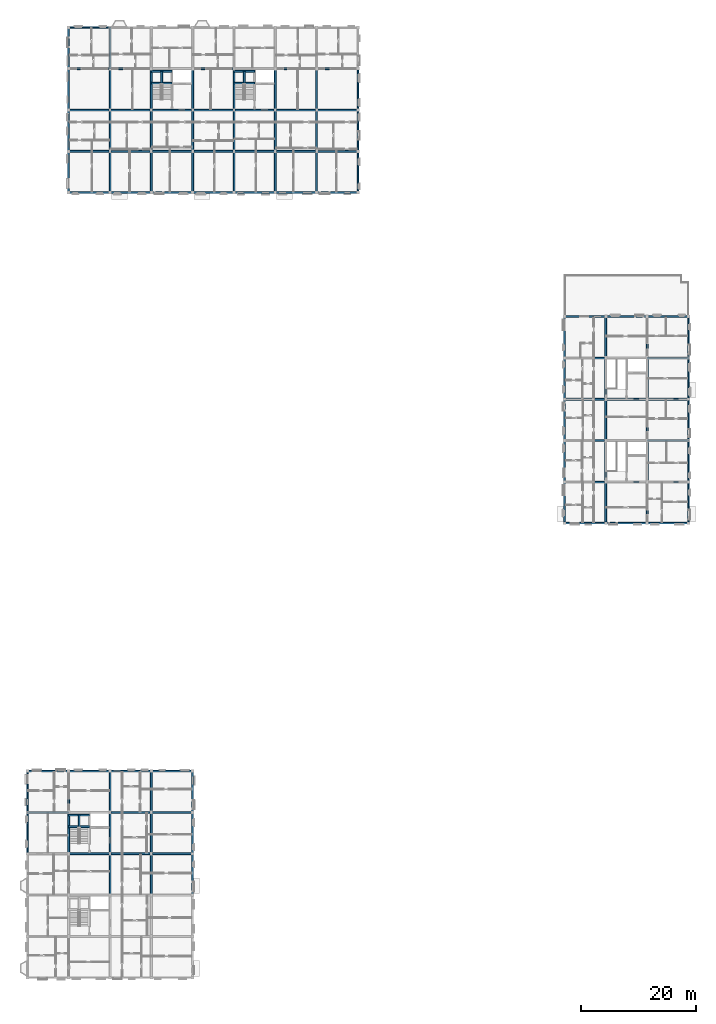
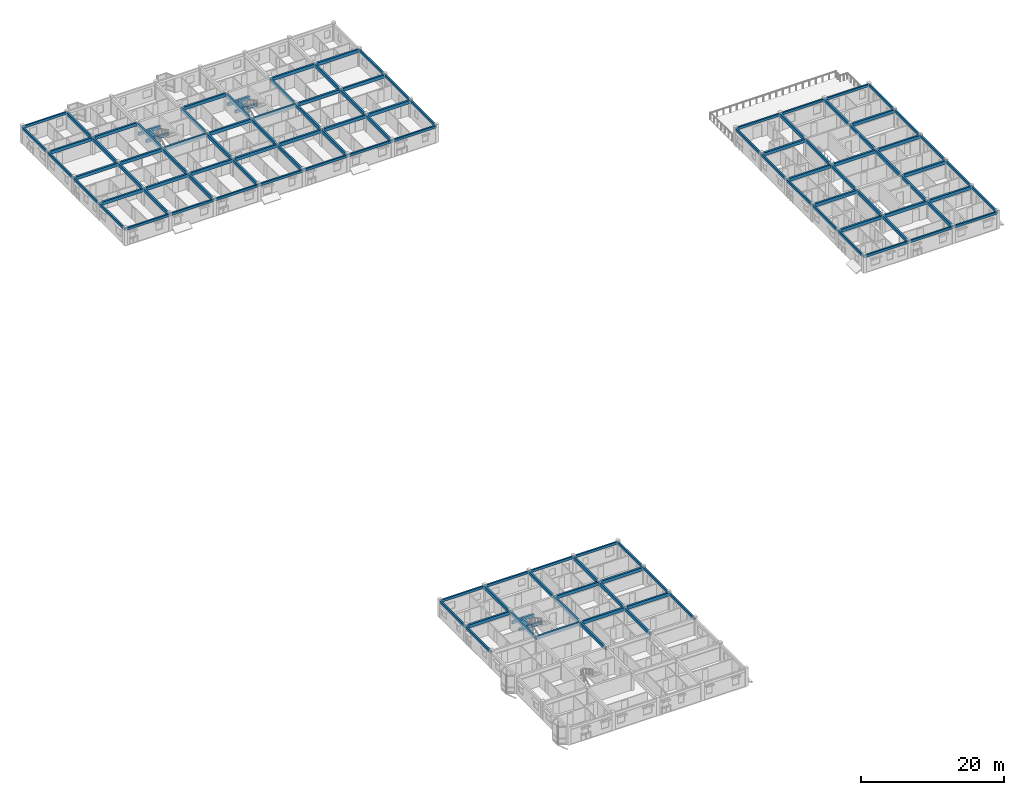
# One storey, part 8 of 38: 121 beams.
"""IFC4 building model written with IfcOpenShell, lengths in metres."""

from ifc_helpers import new_model, si_unit, direction, frame, origin, origin_2d, place, context, subcontext, project, spatial, rectangle, extrude, material, material_profile, profile_set, type_object, element, save


model = new_model("IFC4")

# Units and contexts
model_context = context("Model", 3, precision=1e-05, world=origin(), true_north=direction((0.0, 1.0)))
body_context = subcontext(model_context, "Body", "Model", "MODEL_VIEW")
ifc_project = project(units=[si_unit("LENGTHUNIT", "METRE"), si_unit("AREAUNIT", "SQUARE_METRE"), si_unit("VOLUMEUNIT", "CUBIC_METRE"), si_unit("PLANEANGLEUNIT", "RADIAN"), si_unit("MASSUNIT", "GRAM", prefix="KILO"), si_unit("THERMODYNAMICTEMPERATUREUNIT", "KELVIN"), si_unit("POWERUNIT", "WATT")], contexts=[model_context])

# Site, building, storey
site_placement = place(None, origin())
site = spatial("IfcSite", under=ifc_project, at=site_placement, CompositionType="ELEMENT")
building_placement = place(site_placement, origin())
building = spatial("IfcBuilding", under=site, at=building_placement, Name="Tavuni Mirador Residences", CompositionType="ELEMENT")
storey_placement = place(building_placement, frame((0.0, 0.0, 32.85009765625)))
storey = spatial("IfcBuildingStorey", under=building, at=storey_placement, Name="L10", CompositionType="ELEMENT", Elevation=32.85009765625)

# Beams
ifc_material = material(Name="Precast concrete C40/50", Category="concrete")
ifc_material_profile_1 = material_profile(ifc_material, rectangle(XDim=0.300048828125, YDim=0.5, at=origin_2d()), Name="PC 300x500", Category="concrete")
ifc_profile_set_1 = profile_set([ifc_material_profile_1], Name="Precast concrete C40/50")
beam_type_1 = type_object("IfcBeamType", Name="BT-B500", PredefinedType="BEAM", material=ifc_profile_set_1)
for number, where, z_axis, x_axis, name in (
    (1, (10.800048828125, 33.5, 1.14501953125), (1.0, 0.0, 0.0), (0.0, 1.0, 0.0), "HLB1-C2-L10"),
    (2, (10.800048828125, 35.550048828125, 1.14501953125), (1.0, 0.0, 0.0), (0.0, 1.0, 0.0), "HLB2-C2-L10"),
):
    element("IfcBeam", number, at=place(storey_placement, frame(where, z_axis=z_axis, x_axis=x_axis)), inside=storey, type_object=beam_type_1, Name=name, PredefinedType="BEAM", context=body_context, shape_type="SweptSolid", body=[
        extrude(rectangle(XDim=0.300048828125, YDim=0.5, at=origin_2d()), origin(), (0.0, 0.0, 1.0), 3.599853515625),
    ])
beam_1_placement = place(storey_placement, frame((12.60009765625, 33.5, 1.14501953125), z_axis=(0.0, 1.0, 0.0), x_axis=(-1.0, 0.0, 0.0)))
element("IfcBeam", 3, at=beam_1_placement, inside=storey, type_object=beam_type_1, Name="HLB3-C2-L10", PredefinedType="BEAM", context=body_context, shape_type="SweptSolid", body=[
    extrude(rectangle(XDim=0.300048828125, YDim=0.5, at=origin_2d()), origin(), (0.0, 0.0, 1.0), 2.050048828125),
])
for number, where, z_axis, x_axis, name in (
    (4, (25.199951171875, 163.10009765625, 1.14501953125), (1.0, 0.0, 0.0), (0.0, 1.0, 0.0), "HLB1-C5-L10"),
    (5, (25.199951171875, 165.14990234375, 1.14501953125), (1.0, 0.0, 0.0), (0.0, 1.0, 0.0), "HLB2-C5-L10"),
):
    element("IfcBeam", number, at=place(storey_placement, frame(where, z_axis=z_axis, x_axis=x_axis)), inside=storey, type_object=beam_type_1, Name=name, PredefinedType="BEAM", context=body_context, shape_type="SweptSolid", body=[
        extrude(rectangle(XDim=0.300048828125, YDim=0.5, at=origin_2d()), origin(), (0.0, 0.0, 1.0), 3.60009765625),
    ])
beam_2_placement = place(storey_placement, frame((27.0, 163.10009765625, 1.14501953125), z_axis=(0.0, 1.0, 0.0), x_axis=(-1.0, 0.0, 0.0)))
element("IfcBeam", 6, at=beam_2_placement, inside=storey, type_object=beam_type_1, Name="HLB3-C5-L10", PredefinedType="BEAM", context=body_context, shape_type="SweptSolid", body=[
    extrude(rectangle(XDim=0.300048828125, YDim=0.5, at=origin_2d()), origin(), (0.0, 0.0, 1.0), 2.0498046875),
])
for number, where, z_axis, x_axis, name in (
    (7, (39.60009765625, 163.10009765625, 1.14501953125), (1.0, 0.0, 0.0), (0.0, 1.0, 0.0), "HLB1-C6-L10"),
    (8, (39.60009765625, 165.14990234375, 1.14501953125), (1.0, 0.0, 0.0), (0.0, 1.0, 0.0), "HLB2-C6-L10"),
):
    element("IfcBeam", number, at=place(storey_placement, frame(where, z_axis=z_axis, x_axis=x_axis)), inside=storey, type_object=beam_type_1, Name=name, PredefinedType="BEAM", context=body_context, shape_type="SweptSolid", body=[
        extrude(rectangle(XDim=0.300048828125, YDim=0.5, at=origin_2d()), origin(), (0.0, 0.0, 1.0), 3.599853515625),
    ])
beam_3_placement = place(storey_placement, frame((41.39990234375, 163.10009765625, 1.14501953125), z_axis=(0.0, 1.0, 0.0), x_axis=(-1.0, 0.0, 0.0)))
element("IfcBeam", 9, at=beam_3_placement, inside=storey, type_object=beam_type_1, Name="HLB3-C6-L10", PredefinedType="BEAM", context=body_context, shape_type="SweptSolid", body=[
    extrude(rectangle(XDim=0.300048828125, YDim=0.5, at=origin_2d()), origin(), (0.0, 0.0, 1.0), 2.0498046875),
])
ifc_material_profile_2 = material_profile(ifc_material, rectangle(XDim=0.300048828125, YDim=0.550048828125, at=origin_2d()), Name="PC 300x550", Category="concrete")
ifc_profile_set_2 = profile_set([ifc_material_profile_2], Name="Precast concrete C40/50")
beam_type_2 = type_object("IfcBeamType", Name="BT-B550", PredefinedType="BEAM", material=ifc_profile_set_2)
for number, where, z_axis, x_axis, name in (
    (10, (10.800048828125, 28.800048828125, 2.594970703125), (1.0, 0.0, 0.0), (0.0, 1.0, 0.0), "BMX-BLK-A-L10-01-03"),
    (11, (18.0, 28.800048828125, 2.594970703125), (1.0, 0.0, 0.0), (0.0, 1.0, 0.0), "BMX-BLK-A-L10-02-03"),
    (12, (25.199951171875, 28.800048828125, 2.594970703125), (1.0, 0.0, 0.0), (0.0, 1.0, 0.0), "BMX-BLK-A-L10-03-03"),
    (13, (3.60009765625, 36.0, 2.594970703125), (1.0, 0.0, 0.0), (0.0, 1.0, 0.0), "BMX-BLK-A-L10-00-04"),
    (14, (18.0, 36.0, 2.594970703125), (1.0, 0.0, 0.0), (0.0, 1.0, 0.0), "BMX-BLK-A-L10-02-04"),
    (15, (25.199951171875, 36.0, 2.594970703125), (1.0, 0.0, 0.0), (0.0, 1.0, 0.0), "BMX-BLK-A-L10-03-04"),
    (16, (10.800048828125, 28.800048828125, 2.594970703125), (0.0, 1.0, 0.0), (-1.0, 0.0, 0.0), "BMY-BLK-A-L10-01-03"),
    (17, (10.800048828125, 36.0, 2.594970703125), (0.0, 1.0, 0.0), (-1.0, 0.0, 0.0), "BMY-BLK-A-L10-01-04"),
    (18, (18.0, 21.60009765625, 2.594970703125), (0.0, 1.0, 0.0), (-1.0, 0.0, 0.0), "BMY-BLK-A-L10-02-02"),
    (19, (18.0, 28.800048828125, 2.594970703125), (0.0, 1.0, 0.0), (-1.0, 0.0, 0.0), "BMY-BLK-A-L10-02-03"),
    (20, (18.0, 36.0, 2.594970703125), (0.0, 1.0, 0.0), (-1.0, 0.0, 0.0), "BMY-BLK-A-L10-02-04"),
    (21, (25.199951171875, 21.60009765625, 2.594970703125), (0.0, 1.0, 0.0), (-1.0, 0.0, 0.0), "BMY-BLK-A-L10-03-02"),
    (22, (25.199951171875, 28.800048828125, 2.594970703125), (0.0, 1.0, 0.0), (-1.0, 0.0, 0.0), "BMY-BLK-A-L10-03-03"),
    (23, (25.199951171875, 36.0, 2.594970703125), (0.0, 1.0, 0.0), (-1.0, 0.0, 0.0), "BMY-BLK-A-L10-03-04"),
    (24, (10.800048828125, 151.199951171875, 2.60986328125), (1.0, 0.0, 0.0), (0.0, 1.0, 0.0), "BMX-BLK-C-L10-00-01"),
    (25, (18.0, 151.199951171875, 2.60986328125), (1.0, 0.0, 0.0), (0.0, 1.0, 0.0), "BMX-BLK-C-L10-01-01"),
    (26, (25.199951171875, 151.199951171875, 2.60986328125), (1.0, 0.0, 0.0), (0.0, 1.0, 0.0), "BMX-BLK-C-L10-02-01"),
):
    element("IfcBeam", number, at=place(storey_placement, frame(where, z_axis=z_axis, x_axis=x_axis)), inside=storey, type_object=beam_type_2, Name=name, PredefinedType="BEAM", context=body_context, shape_type="SweptSolid", body=[
        extrude(rectangle(XDim=0.300048828125, YDim=0.550048828125, at=origin_2d()), origin(), (0.0, 0.0, 1.0), 7.199951171875),
    ])
beam_4_placement = place(storey_placement, frame((32.39990234375, 151.199951171875, 2.60986328125), z_axis=(1.0, 0.0, 0.0), x_axis=(0.0, 1.0, 0.0)))
element("IfcBeam", 27, at=beam_4_placement, inside=storey, type_object=beam_type_2, Name="BMX-BLK-C-L10-03-01", PredefinedType="BEAM", context=body_context, shape_type="SweptSolid", body=[
    extrude(rectangle(XDim=0.300048828125, YDim=0.550048828125, at=origin_2d()), origin(), (0.0, 0.0, 1.0), 7.2001953125),
])
for number, where, z_axis, x_axis, name in (
    (28, (39.60009765625, 151.199951171875, 2.60986328125), (1.0, 0.0, 0.0), (0.0, 1.0, 0.0), "BMX-BLK-C-L10-04-01"),
    (29, (46.800048828125, 151.199951171875, 2.60986328125), (1.0, 0.0, 0.0), (0.0, 1.0, 0.0), "BMX-BLK-C-L10-05-01"),
    (30, (54.0, 151.199951171875, 2.60986328125), (1.0, 0.0, 0.0), (0.0, 1.0, 0.0), "BMX-BLK-C-L10-06-01"),
    (31, (10.800048828125, 158.39990234375, 2.60986328125), (1.0, 0.0, 0.0), (0.0, 1.0, 0.0), "BMX-BLK-C-L10-00-02"),
    (32, (18.0, 158.39990234375, 2.60986328125), (1.0, 0.0, 0.0), (0.0, 1.0, 0.0), "BMX-BLK-C-L10-01-02"),
    (33, (25.199951171875, 158.39990234375, 2.60986328125), (1.0, 0.0, 0.0), (0.0, 1.0, 0.0), "BMX-BLK-C-L10-02-02"),
):
    element("IfcBeam", number, at=place(storey_placement, frame(where, z_axis=z_axis, x_axis=x_axis)), inside=storey, type_object=beam_type_2, Name=name, PredefinedType="BEAM", context=body_context, shape_type="SweptSolid", body=[
        extrude(rectangle(XDim=0.300048828125, YDim=0.550048828125, at=origin_2d()), origin(), (0.0, 0.0, 1.0), 7.199951171875),
    ])
beam_5_placement = place(storey_placement, frame((32.39990234375, 158.39990234375, 2.60986328125), z_axis=(1.0, 0.0, 0.0), x_axis=(0.0, 1.0, 0.0)))
element("IfcBeam", 34, at=beam_5_placement, inside=storey, type_object=beam_type_2, Name="BMX-BLK-C-L10-03-02", PredefinedType="BEAM", context=body_context, shape_type="SweptSolid", body=[
    extrude(rectangle(XDim=0.300048828125, YDim=0.550048828125, at=origin_2d()), origin(), (0.0, 0.0, 1.0), 7.2001953125),
])
for number, where, z_axis, x_axis, name in (
    (35, (39.60009765625, 158.39990234375, 2.60986328125), (1.0, 0.0, 0.0), (0.0, 1.0, 0.0), "BMX-BLK-C-L10-04-02"),
    (36, (46.800048828125, 158.39990234375, 2.60986328125), (1.0, 0.0, 0.0), (0.0, 1.0, 0.0), "BMX-BLK-C-L10-05-02"),
    (37, (54.0, 158.39990234375, 2.60986328125), (1.0, 0.0, 0.0), (0.0, 1.0, 0.0), "BMX-BLK-C-L10-06-02"),
    (38, (10.800048828125, 165.60009765625, 2.60986328125), (1.0, 0.0, 0.0), (0.0, 1.0, 0.0), "BMX-BLK-C-L10-00-03"),
    (39, (18.0, 165.60009765625, 2.60986328125), (1.0, 0.0, 0.0), (0.0, 1.0, 0.0), "BMX-BLK-C-L10-01-03"),
):
    element("IfcBeam", number, at=place(storey_placement, frame(where, z_axis=z_axis, x_axis=x_axis)), inside=storey, type_object=beam_type_2, Name=name, PredefinedType="BEAM", context=body_context, shape_type="SweptSolid", body=[
        extrude(rectangle(XDim=0.300048828125, YDim=0.550048828125, at=origin_2d()), origin(), (0.0, 0.0, 1.0), 7.199951171875),
    ])
beam_6_placement = place(storey_placement, frame((32.39990234375, 165.60009765625, 2.60986328125), z_axis=(1.0, 0.0, 0.0), x_axis=(0.0, 1.0, 0.0)))
element("IfcBeam", 40, at=beam_6_placement, inside=storey, type_object=beam_type_2, Name="BMX-BLK-C-L10-03-03", PredefinedType="BEAM", context=body_context, shape_type="SweptSolid", body=[
    extrude(rectangle(XDim=0.300048828125, YDim=0.550048828125, at=origin_2d()), origin(), (0.0, 0.0, 1.0), 7.2001953125),
])
for number, where, z_axis, x_axis, name in (
    (41, (46.800048828125, 165.60009765625, 2.60986328125), (1.0, 0.0, 0.0), (0.0, 1.0, 0.0), "BMX-BLK-C-L10-05-03"),
    (42, (54.0, 165.60009765625, 2.60986328125), (1.0, 0.0, 0.0), (0.0, 1.0, 0.0), "BMX-BLK-C-L10-06-03"),
    (43, (18.0, 144.0, 2.60986328125), (0.0, 1.0, 0.0), (-1.0, 0.0, 0.0), "BMY-BLK-C-L10-01-00"),
    (44, (18.0, 151.199951171875, 2.60986328125), (0.0, 1.0, 0.0), (-1.0, 0.0, 0.0), "BMY-BLK-C-L10-01-01"),
):
    element("IfcBeam", number, at=place(storey_placement, frame(where, z_axis=z_axis, x_axis=x_axis)), inside=storey, type_object=beam_type_2, Name=name, PredefinedType="BEAM", context=body_context, shape_type="SweptSolid", body=[
        extrude(rectangle(XDim=0.300048828125, YDim=0.550048828125, at=origin_2d()), origin(), (0.0, 0.0, 1.0), 7.199951171875),
    ])
beam_7_placement = place(storey_placement, frame((18.0, 158.39990234375, 2.60986328125), z_axis=(0.0, 1.0, 0.0), x_axis=(-1.0, 0.0, 0.0)))
element("IfcBeam", 45, at=beam_7_placement, inside=storey, type_object=beam_type_2, Name="BMY-BLK-C-L10-01-02", PredefinedType="BEAM", context=body_context, shape_type="SweptSolid", body=[
    extrude(rectangle(XDim=0.300048828125, YDim=0.550048828125, at=origin_2d()), origin(), (0.0, 0.0, 1.0), 7.2001953125),
])
for number, where, z_axis, x_axis, name in (
    (46, (18.0, 165.60009765625, 2.60986328125), (0.0, 1.0, 0.0), (-1.0, 0.0, 0.0), "BMY-BLK-C-L10-01-03"),
    (47, (25.199951171875, 144.0, 2.60986328125), (0.0, 1.0, 0.0), (-1.0, 0.0, 0.0), "BMY-BLK-C-L10-02-00"),
    (48, (25.199951171875, 151.199951171875, 2.60986328125), (0.0, 1.0, 0.0), (-1.0, 0.0, 0.0), "BMY-BLK-C-L10-02-01"),
):
    element("IfcBeam", number, at=place(storey_placement, frame(where, z_axis=z_axis, x_axis=x_axis)), inside=storey, type_object=beam_type_2, Name=name, PredefinedType="BEAM", context=body_context, shape_type="SweptSolid", body=[
        extrude(rectangle(XDim=0.300048828125, YDim=0.550048828125, at=origin_2d()), origin(), (0.0, 0.0, 1.0), 7.199951171875),
    ])
beam_8_placement = place(storey_placement, frame((25.199951171875, 158.39990234375, 2.60986328125), z_axis=(0.0, 1.0, 0.0), x_axis=(-1.0, 0.0, 0.0)))
element("IfcBeam", 49, at=beam_8_placement, inside=storey, type_object=beam_type_2, Name="BMY-BLK-C-L10-02-02", PredefinedType="BEAM", context=body_context, shape_type="SweptSolid", body=[
    extrude(rectangle(XDim=0.300048828125, YDim=0.550048828125, at=origin_2d()), origin(), (0.0, 0.0, 1.0), 7.2001953125),
])
for number, where, z_axis, x_axis, name in (
    (50, (32.39990234375, 144.0, 2.60986328125), (0.0, 1.0, 0.0), (-1.0, 0.0, 0.0), "BMY-BLK-C-L10-03-00"),
    (51, (32.39990234375, 151.199951171875, 2.60986328125), (0.0, 1.0, 0.0), (-1.0, 0.0, 0.0), "BMY-BLK-C-L10-03-01"),
):
    element("IfcBeam", number, at=place(storey_placement, frame(where, z_axis=z_axis, x_axis=x_axis)), inside=storey, type_object=beam_type_2, Name=name, PredefinedType="BEAM", context=body_context, shape_type="SweptSolid", body=[
        extrude(rectangle(XDim=0.300048828125, YDim=0.550048828125, at=origin_2d()), origin(), (0.0, 0.0, 1.0), 7.199951171875),
    ])
beam_9_placement = place(storey_placement, frame((32.39990234375, 158.39990234375, 2.60986328125), z_axis=(0.0, 1.0, 0.0), x_axis=(-1.0, 0.0, 0.0)))
element("IfcBeam", 52, at=beam_9_placement, inside=storey, type_object=beam_type_2, Name="BMY-BLK-C-L10-03-02", PredefinedType="BEAM", context=body_context, shape_type="SweptSolid", body=[
    extrude(rectangle(XDim=0.300048828125, YDim=0.550048828125, at=origin_2d()), origin(), (0.0, 0.0, 1.0), 7.2001953125),
])
for number, where, z_axis, x_axis, name in (
    (53, (39.60009765625, 144.0, 2.60986328125), (0.0, 1.0, 0.0), (-1.0, 0.0, 0.0), "BMY-BLK-C-L10-04-00"),
    (54, (39.60009765625, 151.199951171875, 2.60986328125), (0.0, 1.0, 0.0), (-1.0, 0.0, 0.0), "BMY-BLK-C-L10-04-01"),
):
    element("IfcBeam", number, at=place(storey_placement, frame(where, z_axis=z_axis, x_axis=x_axis)), inside=storey, type_object=beam_type_2, Name=name, PredefinedType="BEAM", context=body_context, shape_type="SweptSolid", body=[
        extrude(rectangle(XDim=0.300048828125, YDim=0.550048828125, at=origin_2d()), origin(), (0.0, 0.0, 1.0), 7.199951171875),
    ])
beam_10_placement = place(storey_placement, frame((39.60009765625, 158.39990234375, 2.60986328125), z_axis=(0.0, 1.0, 0.0), x_axis=(-1.0, 0.0, 0.0)))
element("IfcBeam", 55, at=beam_10_placement, inside=storey, type_object=beam_type_2, Name="BMY-BLK-C-L10-04-02", PredefinedType="BEAM", context=body_context, shape_type="SweptSolid", body=[
    extrude(rectangle(XDim=0.300048828125, YDim=0.550048828125, at=origin_2d()), origin(), (0.0, 0.0, 1.0), 7.2001953125),
])
for number, where, z_axis, x_axis, name in (
    (56, (46.800048828125, 144.0, 2.60986328125), (0.0, 1.0, 0.0), (-1.0, 0.0, 0.0), "BMY-BLK-C-L10-05-00"),
    (57, (46.800048828125, 151.199951171875, 2.60986328125), (0.0, 1.0, 0.0), (-1.0, 0.0, 0.0), "BMY-BLK-C-L10-05-01"),
):
    element("IfcBeam", number, at=place(storey_placement, frame(where, z_axis=z_axis, x_axis=x_axis)), inside=storey, type_object=beam_type_2, Name=name, PredefinedType="BEAM", context=body_context, shape_type="SweptSolid", body=[
        extrude(rectangle(XDim=0.300048828125, YDim=0.550048828125, at=origin_2d()), origin(), (0.0, 0.0, 1.0), 7.199951171875),
    ])
beam_11_placement = place(storey_placement, frame((46.800048828125, 158.39990234375, 2.60986328125), z_axis=(0.0, 1.0, 0.0), x_axis=(-1.0, 0.0, 0.0)))
element("IfcBeam", 58, at=beam_11_placement, inside=storey, type_object=beam_type_2, Name="BMY-BLK-C-L10-05-02", PredefinedType="BEAM", context=body_context, shape_type="SweptSolid", body=[
    extrude(rectangle(XDim=0.300048828125, YDim=0.550048828125, at=origin_2d()), origin(), (0.0, 0.0, 1.0), 7.2001953125),
])
for number, where, z_axis, x_axis, name in (
    (59, (54.0, 144.0, 2.60986328125), (0.0, 1.0, 0.0), (-1.0, 0.0, 0.0), "BMY-BLK-C-L10-06-00"),
    (60, (54.0, 151.199951171875, 2.60986328125), (0.0, 1.0, 0.0), (-1.0, 0.0, 0.0), "BMY-BLK-C-L10-06-01"),
):
    element("IfcBeam", number, at=place(storey_placement, frame(where, z_axis=z_axis, x_axis=x_axis)), inside=storey, type_object=beam_type_2, Name=name, PredefinedType="BEAM", context=body_context, shape_type="SweptSolid", body=[
        extrude(rectangle(XDim=0.300048828125, YDim=0.550048828125, at=origin_2d()), origin(), (0.0, 0.0, 1.0), 7.199951171875),
    ])
beam_12_placement = place(storey_placement, frame((54.0, 158.39990234375, 2.60986328125), z_axis=(0.0, 1.0, 0.0), x_axis=(-1.0, 0.0, 0.0)))
element("IfcBeam", 61, at=beam_12_placement, inside=storey, type_object=beam_type_2, Name="BMY-BLK-C-L10-06-02", PredefinedType="BEAM", context=body_context, shape_type="SweptSolid", body=[
    extrude(rectangle(XDim=0.300048828125, YDim=0.550048828125, at=origin_2d()), origin(), (0.0, 0.0, 1.0), 7.2001953125),
])
beam_13_placement = place(storey_placement, frame((97.199951171875, 93.60009765625, 2.64501953125), z_axis=(1.0, 0.0, 0.0), x_axis=(0.0, 1.0, 0.0)))
element("IfcBeam", 62, at=beam_13_placement, inside=storey, type_object=beam_type_2, Name="BMX-BLK-D-L10-00-01", PredefinedType="BEAM", context=body_context, shape_type="SweptSolid", body=[
    extrude(rectangle(XDim=0.300048828125, YDim=0.550048828125, at=origin_2d()), origin(), (0.0, 0.0, 1.0), 7.199951171875),
])
beam_14_placement = place(storey_placement, frame((104.39990234375, 93.60009765625, 2.64501953125), z_axis=(1.0, 0.0, 0.0), x_axis=(0.0, 1.0, 0.0)))
element("IfcBeam", 63, at=beam_14_placement, inside=storey, type_object=beam_type_2, Name="BMX-BLK-D-L10-01-01", PredefinedType="BEAM", context=body_context, shape_type="SweptSolid", body=[
    extrude(rectangle(XDim=0.300048828125, YDim=0.550048828125, at=origin_2d()), origin(), (0.0, 0.0, 1.0), 7.2001953125),
])
for number, where, z_axis, x_axis, name in (
    (64, (111.60009765625, 93.60009765625, 2.64501953125), (1.0, 0.0, 0.0), (0.0, 1.0, 0.0), "BMX-BLK-D-L10-02-01"),
    (65, (97.199951171875, 100.800048828125, 2.64501953125), (1.0, 0.0, 0.0), (0.0, 1.0, 0.0), "BMX-BLK-D-L10-00-02"),
    (66, (111.60009765625, 100.800048828125, 2.64501953125), (1.0, 0.0, 0.0), (0.0, 1.0, 0.0), "BMX-BLK-D-L10-02-02"),
    (67, (97.199951171875, 108.0, 2.64501953125), (1.0, 0.0, 0.0), (0.0, 1.0, 0.0), "BMX-BLK-D-L10-00-03"),
):
    element("IfcBeam", number, at=place(storey_placement, frame(where, z_axis=z_axis, x_axis=x_axis)), inside=storey, type_object=beam_type_2, Name=name, PredefinedType="BEAM", context=body_context, shape_type="SweptSolid", body=[
        extrude(rectangle(XDim=0.300048828125, YDim=0.550048828125, at=origin_2d()), origin(), (0.0, 0.0, 1.0), 7.199951171875),
    ])
beam_15_placement = place(storey_placement, frame((104.39990234375, 108.0, 2.64501953125), z_axis=(1.0, 0.0, 0.0), x_axis=(0.0, 1.0, 0.0)))
element("IfcBeam", 68, at=beam_15_placement, inside=storey, type_object=beam_type_2, Name="BMX-BLK-D-L10-01-03", PredefinedType="BEAM", context=body_context, shape_type="SweptSolid", body=[
    extrude(rectangle(XDim=0.300048828125, YDim=0.550048828125, at=origin_2d()), origin(), (0.0, 0.0, 1.0), 7.2001953125),
])
for number, where, z_axis, x_axis, name in (
    (69, (111.60009765625, 108.0, 2.64501953125), (1.0, 0.0, 0.0), (0.0, 1.0, 0.0), "BMX-BLK-D-L10-02-03"),
    (70, (97.199951171875, 115.199951171875, 2.64501953125), (1.0, 0.0, 0.0), (0.0, 1.0, 0.0), "BMX-BLK-D-L10-00-04"),
    (71, (111.60009765625, 115.199951171875, 2.64501953125), (1.0, 0.0, 0.0), (0.0, 1.0, 0.0), "BMX-BLK-D-L10-02-04"),
):
    element("IfcBeam", number, at=place(storey_placement, frame(where, z_axis=z_axis, x_axis=x_axis)), inside=storey, type_object=beam_type_2, Name=name, PredefinedType="BEAM", context=body_context, shape_type="SweptSolid", body=[
        extrude(rectangle(XDim=0.300048828125, YDim=0.550048828125, at=origin_2d()), origin(), (0.0, 0.0, 1.0), 7.199951171875),
    ])
beam_16_placement = place(storey_placement, frame((104.39990234375, 86.39990234375, 2.64501953125), z_axis=(0.0, 1.0, 0.0), x_axis=(-1.0, 0.0, 0.0)))
element("IfcBeam", 72, at=beam_16_placement, inside=storey, type_object=beam_type_2, Name="BMY-BLK-D-L10-01-00", PredefinedType="BEAM", context=body_context, shape_type="SweptSolid", body=[
    extrude(rectangle(XDim=0.300048828125, YDim=0.550048828125, at=origin_2d()), origin(), (0.0, 0.0, 1.0), 7.2001953125),
])
for number, where, z_axis, x_axis, name in (
    (73, (104.39990234375, 93.60009765625, 2.64501953125), (0.0, 1.0, 0.0), (-1.0, 0.0, 0.0), "BMY-BLK-D-L10-01-01"),
    (74, (104.39990234375, 100.800048828125, 2.64501953125), (0.0, 1.0, 0.0), (-1.0, 0.0, 0.0), "BMY-BLK-D-L10-01-02"),
    (75, (104.39990234375, 108.0, 2.64501953125), (0.0, 1.0, 0.0), (-1.0, 0.0, 0.0), "BMY-BLK-D-L10-01-03"),
    (76, (104.39990234375, 115.199951171875, 2.64501953125), (0.0, 1.0, 0.0), (-1.0, 0.0, 0.0), "BMY-BLK-D-L10-01-04"),
):
    element("IfcBeam", number, at=place(storey_placement, frame(where, z_axis=z_axis, x_axis=x_axis)), inside=storey, type_object=beam_type_2, Name=name, PredefinedType="BEAM", context=body_context, shape_type="SweptSolid", body=[
        extrude(rectangle(XDim=0.300048828125, YDim=0.550048828125, at=origin_2d()), origin(), (0.0, 0.0, 1.0), 7.199951171875),
    ])
beam_17_placement = place(storey_placement, frame((111.60009765625, 86.39990234375, 2.64501953125), z_axis=(0.0, 1.0, 0.0), x_axis=(-1.0, 0.0, 0.0)))
element("IfcBeam", 77, at=beam_17_placement, inside=storey, type_object=beam_type_2, Name="BMY-BLK-D-L10-02-00", PredefinedType="BEAM", context=body_context, shape_type="SweptSolid", body=[
    extrude(rectangle(XDim=0.300048828125, YDim=0.550048828125, at=origin_2d()), origin(), (0.0, 0.0, 1.0), 7.2001953125),
])
for number, where, z_axis, x_axis, name in (
    (78, (111.60009765625, 93.60009765625, 2.64501953125), (0.0, 1.0, 0.0), (-1.0, 0.0, 0.0), "BMY-BLK-D-L10-02-01"),
    (79, (111.60009765625, 100.800048828125, 2.64501953125), (0.0, 1.0, 0.0), (-1.0, 0.0, 0.0), "BMY-BLK-D-L10-02-02"),
    (80, (111.60009765625, 108.0, 2.64501953125), (0.0, 1.0, 0.0), (-1.0, 0.0, 0.0), "BMY-BLK-D-L10-02-03"),
    (81, (111.60009765625, 115.199951171875, 2.64501953125), (0.0, 1.0, 0.0), (-1.0, 0.0, 0.0), "BMY-BLK-D-L10-02-04"),
):
    element("IfcBeam", number, at=place(storey_placement, frame(where, z_axis=z_axis, x_axis=x_axis)), inside=storey, type_object=beam_type_2, Name=name, PredefinedType="BEAM", context=body_context, shape_type="SweptSolid", body=[
        extrude(rectangle(XDim=0.300048828125, YDim=0.550048828125, at=origin_2d()), origin(), (0.0, 0.0, 1.0), 7.199951171875),
    ])
ifc_material_profile_3 = material_profile(ifc_material, rectangle(XDim=0.25, YDim=0.419921875, at=origin_2d()), Name="PC 250x420", Category="concrete")
ifc_profile_set_3 = profile_set([ifc_material_profile_3], Name="Precast concrete C40/50")
beam_type_3 = type_object("IfcBeamType", Name="BT-SP420", PredefinedType="SPANDREL", material=ifc_profile_set_3)
for number, where, z_axis, x_axis, name in (
    (82, (3.60009765625, 43.199951171875, 2.659912109375), (1.0, 0.0, 0.0), (0.0, 1.0, 0.0), "BMX-BLK-A-L10-00-05"),
    (83, (10.800048828125, 43.199951171875, 2.659912109375), (1.0, 0.0, 0.0), (0.0, 1.0, 0.0), "BMX-BLK-A-L10-01-05"),
    (84, (18.0, 43.199951171875, 2.659912109375), (1.0, 0.0, 0.0), (0.0, 1.0, 0.0), "BMX-BLK-A-L10-02-05"),
    (85, (25.199951171875, 43.199951171875, 2.659912109375), (1.0, 0.0, 0.0), (0.0, 1.0, 0.0), "BMX-BLK-A-L10-03-05"),
    (86, (3.60009765625, 28.800048828125, 2.659912109375), (0.0, 1.0, 0.0), (-1.0, 0.0, 0.0), "BMY-BLK-A-L10-00-03"),
    (87, (3.60009765625, 36.0, 2.659912109375), (0.0, 1.0, 0.0), (-1.0, 0.0, 0.0), "BMY-BLK-A-L10-00-04"),
    (88, (32.39990234375, 21.60009765625, 2.659912109375), (0.0, 1.0, 0.0), (-1.0, 0.0, 0.0), "BMY-BLK-A-L10-04-02"),
    (89, (32.39990234375, 28.800048828125, 2.659912109375), (0.0, 1.0, 0.0), (-1.0, 0.0, 0.0), "BMY-BLK-A-L10-04-03"),
    (90, (32.39990234375, 36.0, 2.659912109375), (0.0, 1.0, 0.0), (-1.0, 0.0, 0.0), "BMY-BLK-A-L10-04-04"),
    (91, (10.800048828125, 144.0, 2.6748046875), (1.0, 0.0, 0.0), (0.0, 1.0, 0.0), "BMX-BLK-C-L10-00-00"),
    (92, (18.0, 144.0, 2.6748046875), (1.0, 0.0, 0.0), (0.0, 1.0, 0.0), "BMX-BLK-C-L10-01-00"),
    (93, (25.199951171875, 144.0, 2.6748046875), (1.0, 0.0, 0.0), (0.0, 1.0, 0.0), "BMX-BLK-C-L10-02-00"),
):
    element("IfcBeam", number, at=place(storey_placement, frame(where, z_axis=z_axis, x_axis=x_axis)), inside=storey, type_object=beam_type_3, Name=name, PredefinedType="SPANDREL", context=body_context, shape_type="SweptSolid", body=[
        extrude(rectangle(XDim=0.25, YDim=0.419921875, at=origin_2d()), origin(), (0.0, 0.0, 1.0), 7.199951171875),
    ])
beam_18_placement = place(storey_placement, frame((32.39990234375, 144.0, 2.6748046875), z_axis=(1.0, 0.0, 0.0), x_axis=(0.0, 1.0, 0.0)))
element("IfcBeam", 94, at=beam_18_placement, inside=storey, type_object=beam_type_3, Name="BMX-BLK-C-L10-03-00", PredefinedType="SPANDREL", context=body_context, shape_type="SweptSolid", body=[
    extrude(rectangle(XDim=0.25, YDim=0.419921875, at=origin_2d()), origin(), (0.0, 0.0, 1.0), 7.2001953125),
])
for number, where, z_axis, x_axis, name in (
    (95, (39.60009765625, 144.0, 2.6748046875), (1.0, 0.0, 0.0), (0.0, 1.0, 0.0), "BMX-BLK-C-L10-04-00"),
    (96, (46.800048828125, 144.0, 2.6748046875), (1.0, 0.0, 0.0), (0.0, 1.0, 0.0), "BMX-BLK-C-L10-05-00"),
    (97, (54.0, 144.0, 2.6748046875), (1.0, 0.0, 0.0), (0.0, 1.0, 0.0), "BMX-BLK-C-L10-06-00"),
    (98, (10.800048828125, 172.800048828125, 2.6748046875), (1.0, 0.0, 0.0), (0.0, 1.0, 0.0), "BMX-BLK-C-L10-00-04"),
    (99, (10.800048828125, 144.0, 2.6748046875), (0.0, 1.0, 0.0), (-1.0, 0.0, 0.0), "BMY-BLK-C-L10-00-00"),
    (100, (10.800048828125, 151.199951171875, 2.6748046875), (0.0, 1.0, 0.0), (-1.0, 0.0, 0.0), "BMY-BLK-C-L10-00-01"),
):
    element("IfcBeam", number, at=place(storey_placement, frame(where, z_axis=z_axis, x_axis=x_axis)), inside=storey, type_object=beam_type_3, Name=name, PredefinedType="SPANDREL", context=body_context, shape_type="SweptSolid", body=[
        extrude(rectangle(XDim=0.25, YDim=0.419921875, at=origin_2d()), origin(), (0.0, 0.0, 1.0), 7.199951171875),
    ])
beam_19_placement = place(storey_placement, frame((10.800048828125, 158.39990234375, 2.6748046875), z_axis=(0.0, 1.0, 0.0), x_axis=(-1.0, 0.0, 0.0)))
element("IfcBeam", 101, at=beam_19_placement, inside=storey, type_object=beam_type_3, Name="BMY-BLK-C-L10-00-02", PredefinedType="SPANDREL", context=body_context, shape_type="SweptSolid", body=[
    extrude(rectangle(XDim=0.25, YDim=0.419921875, at=origin_2d()), origin(), (0.0, 0.0, 1.0), 7.2001953125),
])
for number, where, z_axis, x_axis, name in (
    (102, (10.800048828125, 165.60009765625, 2.6748046875), (0.0, 1.0, 0.0), (-1.0, 0.0, 0.0), "BMY-BLK-C-L10-00-03"),
    (103, (61.199951171875, 144.0, 2.6748046875), (0.0, 1.0, 0.0), (-1.0, 0.0, 0.0), "BMY-BLK-C-L10-07-00"),
    (104, (61.199951171875, 151.199951171875, 2.6748046875), (0.0, 1.0, 0.0), (-1.0, 0.0, 0.0), "BMY-BLK-C-L10-07-01"),
):
    element("IfcBeam", number, at=place(storey_placement, frame(where, z_axis=z_axis, x_axis=x_axis)), inside=storey, type_object=beam_type_3, Name=name, PredefinedType="SPANDREL", context=body_context, shape_type="SweptSolid", body=[
        extrude(rectangle(XDim=0.25, YDim=0.419921875, at=origin_2d()), origin(), (0.0, 0.0, 1.0), 7.199951171875),
    ])
beam_20_placement = place(storey_placement, frame((61.199951171875, 158.39990234375, 2.6748046875), z_axis=(0.0, 1.0, 0.0), x_axis=(-1.0, 0.0, 0.0)))
element("IfcBeam", 105, at=beam_20_placement, inside=storey, type_object=beam_type_3, Name="BMY-BLK-C-L10-07-02", PredefinedType="SPANDREL", context=body_context, shape_type="SweptSolid", body=[
    extrude(rectangle(XDim=0.25, YDim=0.419921875, at=origin_2d()), origin(), (0.0, 0.0, 1.0), 7.2001953125),
])
beam_21_placement = place(storey_placement, frame((97.199951171875, 86.39990234375, 2.7099609375), z_axis=(1.0, 0.0, 0.0), x_axis=(0.0, 1.0, 0.0)))
element("IfcBeam", 106, at=beam_21_placement, inside=storey, type_object=beam_type_3, Name="BMX-BLK-D-L10-00-00", PredefinedType="SPANDREL", context=body_context, shape_type="SweptSolid", body=[
    extrude(rectangle(XDim=0.25, YDim=0.419921875, at=origin_2d()), origin(), (0.0, 0.0, 1.0), 7.199951171875),
])
beam_22_placement = place(storey_placement, frame((104.39990234375, 86.39990234375, 2.7099609375), z_axis=(1.0, 0.0, 0.0), x_axis=(0.0, 1.0, 0.0)))
element("IfcBeam", 107, at=beam_22_placement, inside=storey, type_object=beam_type_3, Name="BMX-BLK-D-L10-01-00", PredefinedType="SPANDREL", context=body_context, shape_type="SweptSolid", body=[
    extrude(rectangle(XDim=0.25, YDim=0.419921875, at=origin_2d()), origin(), (0.0, 0.0, 1.0), 7.2001953125),
])
for number, where, z_axis, x_axis, name in (
    (108, (111.60009765625, 86.39990234375, 2.7099609375), (1.0, 0.0, 0.0), (0.0, 1.0, 0.0), "BMX-BLK-D-L10-02-00"),
    (109, (97.199951171875, 122.39990234375, 2.7099609375), (1.0, 0.0, 0.0), (0.0, 1.0, 0.0), "BMX-BLK-D-L10-00-05"),
):
    element("IfcBeam", number, at=place(storey_placement, frame(where, z_axis=z_axis, x_axis=x_axis)), inside=storey, type_object=beam_type_3, Name=name, PredefinedType="SPANDREL", context=body_context, shape_type="SweptSolid", body=[
        extrude(rectangle(XDim=0.25, YDim=0.419921875, at=origin_2d()), origin(), (0.0, 0.0, 1.0), 7.199951171875),
    ])
beam_23_placement = place(storey_placement, frame((104.39990234375, 122.39990234375, 2.7099609375), z_axis=(1.0, 0.0, 0.0), x_axis=(0.0, 1.0, 0.0)))
element("IfcBeam", 110, at=beam_23_placement, inside=storey, type_object=beam_type_3, Name="BMX-BLK-D-L10-01-05", PredefinedType="SPANDREL", context=body_context, shape_type="SweptSolid", body=[
    extrude(rectangle(XDim=0.25, YDim=0.419921875, at=origin_2d()), origin(), (0.0, 0.0, 1.0), 7.2001953125),
])
beam_24_placement = place(storey_placement, frame((111.60009765625, 122.39990234375, 2.7099609375), z_axis=(1.0, 0.0, 0.0), x_axis=(0.0, 1.0, 0.0)))
element("IfcBeam", 111, at=beam_24_placement, inside=storey, type_object=beam_type_3, Name="BMX-BLK-D-L10-02-05", PredefinedType="SPANDREL", context=body_context, shape_type="SweptSolid", body=[
    extrude(rectangle(XDim=0.25, YDim=0.419921875, at=origin_2d()), origin(), (0.0, 0.0, 1.0), 7.199951171875),
])
beam_25_placement = place(storey_placement, frame((97.199951171875, 86.39990234375, 2.7099609375), z_axis=(0.0, 1.0, 0.0), x_axis=(-1.0, 0.0, 0.0)))
element("IfcBeam", 112, at=beam_25_placement, inside=storey, type_object=beam_type_3, Name="BMY-BLK-D-L10-00-00", PredefinedType="SPANDREL", context=body_context, shape_type="SweptSolid", body=[
    extrude(rectangle(XDim=0.25, YDim=0.419921875, at=origin_2d()), origin(), (0.0, 0.0, 1.0), 7.2001953125),
])
for number, where, z_axis, x_axis, name in (
    (113, (97.199951171875, 93.60009765625, 2.7099609375), (0.0, 1.0, 0.0), (-1.0, 0.0, 0.0), "BMY-BLK-D-L10-00-01"),
    (114, (97.199951171875, 100.800048828125, 2.7099609375), (0.0, 1.0, 0.0), (-1.0, 0.0, 0.0), "BMY-BLK-D-L10-00-02"),
    (115, (97.199951171875, 108.0, 2.7099609375), (0.0, 1.0, 0.0), (-1.0, 0.0, 0.0), "BMY-BLK-D-L10-00-03"),
    (116, (97.199951171875, 115.199951171875, 2.7099609375), (0.0, 1.0, 0.0), (-1.0, 0.0, 0.0), "BMY-BLK-D-L10-00-04"),
):
    element("IfcBeam", number, at=place(storey_placement, frame(where, z_axis=z_axis, x_axis=x_axis)), inside=storey, type_object=beam_type_3, Name=name, PredefinedType="SPANDREL", context=body_context, shape_type="SweptSolid", body=[
        extrude(rectangle(XDim=0.25, YDim=0.419921875, at=origin_2d()), origin(), (0.0, 0.0, 1.0), 7.199951171875),
    ])
beam_26_placement = place(storey_placement, frame((118.800048828125, 86.39990234375, 2.7099609375), z_axis=(0.0, 1.0, 0.0), x_axis=(-1.0, 0.0, 0.0)))
element("IfcBeam", 117, at=beam_26_placement, inside=storey, type_object=beam_type_3, Name="BMY-BLK-D-L10-03-00", PredefinedType="SPANDREL", context=body_context, shape_type="SweptSolid", body=[
    extrude(rectangle(XDim=0.25, YDim=0.419921875, at=origin_2d()), origin(), (0.0, 0.0, 1.0), 7.2001953125),
])
for number, where, z_axis, x_axis, name in (
    (118, (118.800048828125, 93.60009765625, 2.7099609375), (0.0, 1.0, 0.0), (-1.0, 0.0, 0.0), "BMY-BLK-D-L10-03-01"),
    (119, (118.800048828125, 100.800048828125, 2.7099609375), (0.0, 1.0, 0.0), (-1.0, 0.0, 0.0), "BMY-BLK-D-L10-03-02"),
    (120, (118.800048828125, 108.0, 2.7099609375), (0.0, 1.0, 0.0), (-1.0, 0.0, 0.0), "BMY-BLK-D-L10-03-03"),
    (121, (118.800048828125, 115.199951171875, 2.7099609375), (0.0, 1.0, 0.0), (-1.0, 0.0, 0.0), "BMY-BLK-D-L10-03-04"),
):
    element("IfcBeam", number, at=place(storey_placement, frame(where, z_axis=z_axis, x_axis=x_axis)), inside=storey, type_object=beam_type_3, Name=name, PredefinedType="SPANDREL", context=body_context, shape_type="SweptSolid", body=[
        extrude(rectangle(XDim=0.25, YDim=0.419921875, at=origin_2d()), origin(), (0.0, 0.0, 1.0), 7.199951171875),
    ])

save(model, "model.ifc")
